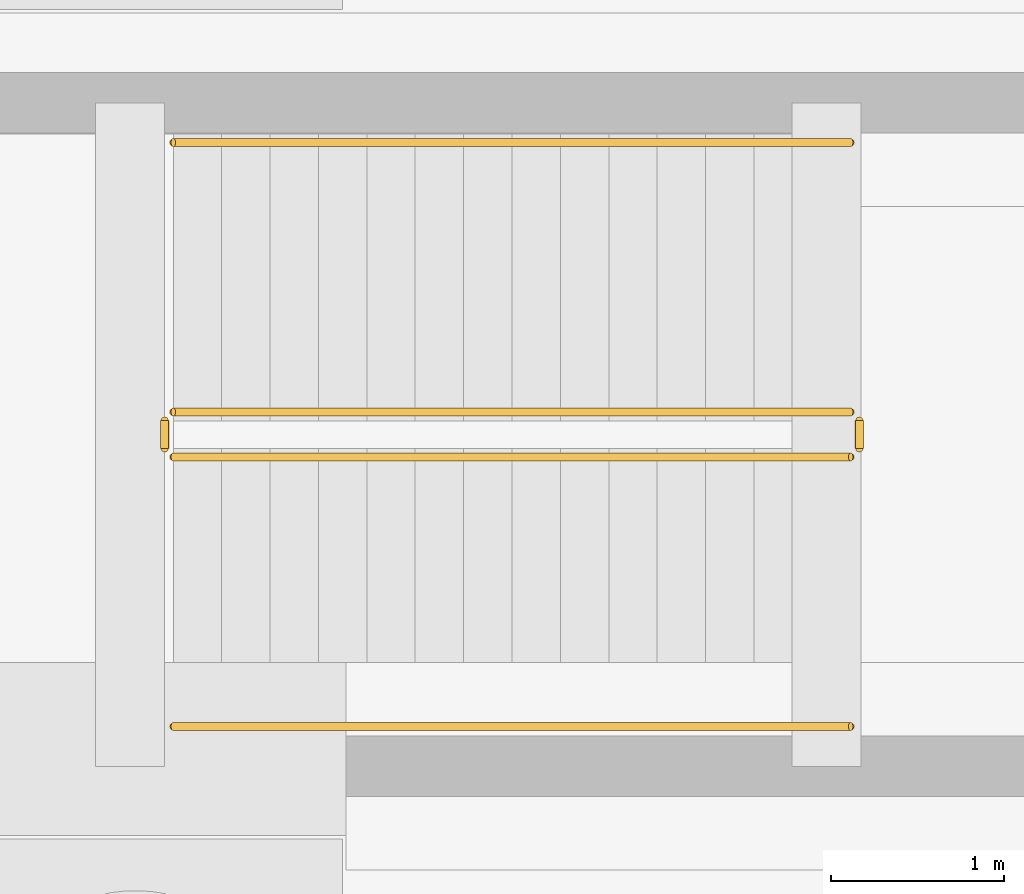
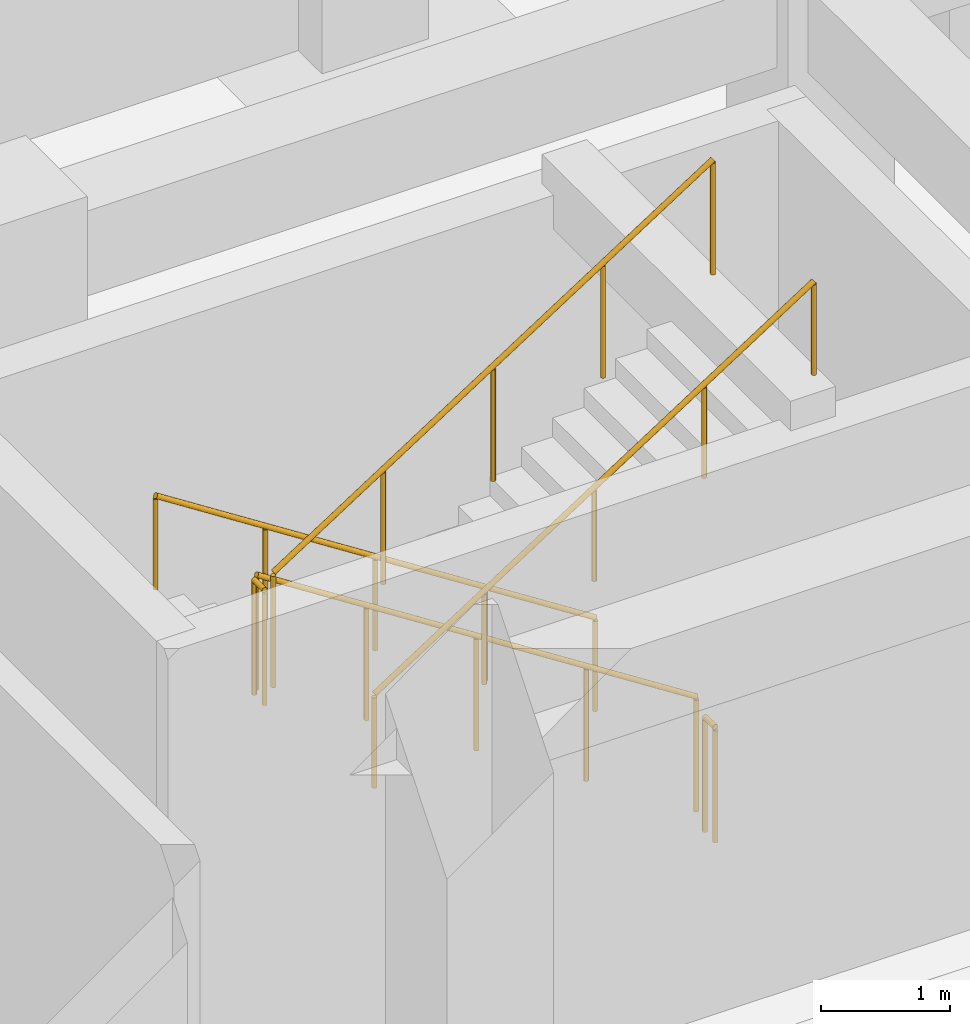
# One storey, part 23 of 26: 6 railings.
"""IFC4 building model written with IfcOpenShell, lengths in metres."""

import ifcopenshell
import ifcopenshell.guid

model = None  # the IFC model being written
_history = None  # IfcOwnerHistory: only IFC2X3 demands one
_inside = {}  # id of a spatial element -> (the spatial element, [elements in it])
_under = {}  # id of a project, library or spatial element -> (it, [spatial elements below it])
_declared = {}  # id of a project -> (the project, [libraries it declares])
_typed = {}  # id of a type object -> (the type object, [elements of that type])
_made_of = {}  # id of a material, layer set ... -> (it, [elements and type objects made of it])


def new_model(schema):
    """Start an empty IFC model of exactly this schema.

    Asked for "IFC4X3", IfcOpenShell would pick the latest addendum, in which some entities
    have other attributes; the version numbers below select the first issue.
    IFC2X3 requires an IfcOwnerHistory on every rooted entity: one is made here for all.
    """
    global model, _history
    if schema == "IFC4X3":
        model = ifcopenshell.file(schema_version=(4, 3, 0, 0))
    else:
        model = ifcopenshell.file(schema=schema)
    _inside.clear()
    _under.clear()
    _declared.clear()
    _typed.clear()
    _made_of.clear()
    _history = None
    if model.schema == "IFC2X3":
        org = make("IfcOrganization", Name="unknown")
        user = make(
            "IfcPersonAndOrganization",
            ThePerson=make("IfcPerson", FamilyName="unknown"),
            TheOrganization=org,
        )
        app = make(
            "IfcApplication",
            ApplicationDeveloper=org,
            Version="unknown",
            ApplicationFullName="unknown",
            ApplicationIdentifier="unknown",
        )
        _history = make(
            "IfcOwnerHistory",
            OwningUser=user,
            OwningApplication=app,
            ChangeAction="ADDED",
            CreationDate=0,
        )
    return model


def make(cls, **values):
    """One entity of the class cls with the attributes given. An attribute that is None is left unset."""
    return model.create_entity(
        cls, **{name: value for name, value in values.items() if value is not None}
    )


def rooted(cls, **values):
    """An entity with a GlobalId (a new one), such as an element, a storey or a relation."""
    return make(cls, GlobalId=ifcopenshell.guid.new(), OwnerHistory=_history, **values)


def si_unit(unit_type, name, prefix=None):
    """IfcSIUnit, for example si_unit("LENGTHUNIT", "METRE", prefix="MILLI")."""
    return make("IfcSIUnit", UnitType=unit_type, Prefix=prefix, Name=name)


def assignment(units):
    """IfcUnitAssignment: the units of a project."""
    return None if units is None else make("IfcUnitAssignment", Units=units)


def point(xyz):
    """IfcCartesianPoint."""
    return None if xyz is None else make("IfcCartesianPoint", Coordinates=xyz)


def direction(xyz):
    """IfcDirection."""
    return None if xyz is None else make("IfcDirection", DirectionRatios=xyz)


def frame(location, z_axis=None, x_axis=None):
    """IfcAxis2Placement3D, a coordinate frame: its origin and axes. An axis left out is left unset."""
    return make(
        "IfcAxis2Placement3D",
        Location=point(location),
        Axis=direction(z_axis),
        RefDirection=direction(x_axis),
    )


def frame_2d(location, x_axis=None):
    """IfcAxis2Placement2D, a coordinate frame in the plane: its origin and x axis."""
    return make(
        "IfcAxis2Placement2D", Location=point(location), RefDirection=direction(x_axis)
    )


def origin():
    """The frame at (0, 0, 0) with its axes left unset."""
    return frame((0.0, 0.0, 0.0))


def origin_2d():
    """The frame at (0, 0) in the plane with its x axis left unset."""
    return frame_2d((0.0, 0.0))


def place(relative_to, where):
    """IfcLocalPlacement: puts the frame where relative to a parent placement (None: the world)."""
    return make(
        "IfcLocalPlacement", PlacementRelTo=relative_to, RelativePlacement=where
    )


def context(
    kind, dimensions, precision=None, world=None, true_north=None, identifier=None
):
    """IfcGeometricRepresentationContext, for example the 3D "Model" context."""
    return make(
        "IfcGeometricRepresentationContext",
        ContextIdentifier=identifier,
        ContextType=kind,
        CoordinateSpaceDimension=dimensions,
        Precision=precision,
        WorldCoordinateSystem=world,
        TrueNorth=true_north,
    )


def subcontext(parent, identifier, kind, view, scale=None):
    """IfcGeometricRepresentationSubContext, for example "Body" below "Model"."""
    return make(
        "IfcGeometricRepresentationSubContext",
        ContextIdentifier=identifier,
        ContextType=kind,
        ParentContext=parent,
        TargetScale=scale,
        TargetView=view,
    )


def project(units=None, contexts=None):
    """IfcProject with its units and contexts."""
    return rooted(
        "IfcProject",
        Name="project",
        RepresentationContexts=contexts,
        UnitsInContext=assignment(units),
    )


def spatial(cls, under=None, at=None, **own):
    """A site, building, storey or space (cls), placed at a placement, below another one or the project."""
    s = rooted(cls, ObjectPlacement=at, **own)
    if under is not None:
        _under.setdefault(under.id(), (under, []))[1].append(s)
    return s


def profile(cls, at=None, kind="AREA", **sizes):
    """A parametric profile (cls). Its sizes go by their IFC names, for example OverallWidth=200.0."""
    return make(cls, ProfileType=kind, Position=at, **sizes)


def circle(**sizes):
    """IfcCircleProfileDef."""
    return profile("IfcCircleProfileDef", **sizes)


def extrude(swept, where, along, depth):
    """IfcExtrudedAreaSolid: the profile swept, set in the frame where, extruded along a direction by depth."""
    return make(
        "IfcExtrudedAreaSolid",
        SweptArea=swept,
        Position=where,
        ExtrudedDirection=direction(along),
        Depth=depth,
    )


def shape(context_of_items, identifier, shape_type, items):
    """IfcShapeRepresentation: the items that make up one representation, for example the "Body"."""
    return make(
        "IfcShapeRepresentation",
        ContextOfItems=context_of_items,
        RepresentationIdentifier=identifier,
        RepresentationType=shape_type,
        Items=items,
    )


def material(Name=None, Category=None):
    """IfcMaterial."""
    return make("IfcMaterial", Name=Name, Category=Category)


def made_of(thing, what):
    """Note that an element or type object is made of a material, layer set ...; save() writes the relation."""
    if what is not None:
        _made_of.setdefault(what.id(), (what, []))[1].append(thing)
    return thing


def type_object(cls, material=None, **own):
    """A type object (cls), such as IfcWallType, which elements share."""
    return made_of(rooted(cls, **own), material)


def element(
    cls,
    number,
    at=None,
    inside=None,
    cuts=None,
    type_object=None,
    material=None,
    context=None,
    identifier="Body",
    shape_type=None,
    held_by="IfcProductDefinitionShape",
    body=None,
    shapes=None,
    **own,
):
    """One element of the class cls, such as IfcWall. Its Tag is "e" and its number.

    at: its placement. inside: the storey or other place that contains it. cuts: it is an
    opening in that element (IfcRelVoidsElement). A single representation is given by context,
    identifier, shape_type and body (its items); several are given by shapes. held_by: the class
    of the entity that holds the representations. save() writes the other relations.
    """
    e = rooted(cls, Tag="e%d" % number, ObjectPlacement=at, **own)
    if body is not None:
        shapes = [shape(context, identifier, shape_type, body)]
    if shapes is not None:
        e.Representation = make(held_by, Representations=shapes)
    if inside is not None:
        _inside.setdefault(inside.id(), (inside, []))[1].append(e)
    if cuts is not None:
        rooted(
            "IfcRelVoidsElement", RelatingBuildingElement=cuts, RelatedOpeningElement=e
        )
    if type_object is not None:
        _typed.setdefault(type_object.id(), (type_object, []))[1].append(e)
    return made_of(e, material)


def aggregate(whole, parts):
    """IfcRelAggregates: a whole, such as a stair, and the parts it consists of."""
    return rooted("IfcRelAggregates", RelatingObject=whole, RelatedObjects=parts)


def save(model, path):
    """Write the relations noted so far, then the file.

    IfcRelAggregates (storeys below a building ...), IfcRelContainedInSpatialStructure (elements
    in a storey), IfcRelDefinesByType, IfcRelAssociatesMaterial and IfcRelDeclares: one each for
    every whole, place, type object, material and project.
    """
    for whole, parts in _under.values():
        aggregate(whole, parts)
    for where, things in _inside.values():
        rooted(
            "IfcRelContainedInSpatialStructure",
            RelatedElements=things,
            RelatingStructure=where,
        )
    for kind, things in _typed.values():
        rooted("IfcRelDefinesByType", RelatedObjects=things, RelatingType=kind)
    for what, things in _made_of.values():
        rooted("IfcRelAssociatesMaterial", RelatedObjects=things, RelatingMaterial=what)
    for by, libraries in _declared.values():
        rooted("IfcRelDeclares", RelatingContext=by, RelatedDefinitions=libraries)
    model.write(path)


model = new_model("IFC4")

# Units and contexts
model_context = context("Model", 3, precision=1e-05, world=origin(), true_north=direction((0.0, 1.0)))
body_context = subcontext(model_context, "Body", "Model", "MODEL_VIEW")
ifc_project = project(units=[si_unit("LENGTHUNIT", "METRE"), si_unit("AREAUNIT", "SQUARE_METRE"), si_unit("VOLUMEUNIT", "CUBIC_METRE"), si_unit("PLANEANGLEUNIT", "RADIAN"), si_unit("MASSUNIT", "GRAM", prefix="KILO")], contexts=[model_context])

# Site, building, storey
site_placement = place(None, origin())
site = spatial("IfcSite", under=ifc_project, at=site_placement, CompositionType="ELEMENT")
building_placement = place(site_placement, origin())
building = spatial("IfcBuilding", under=site, at=building_placement, Name="Kazehaya Institute of Natural Sciences", CompositionType="ELEMENT")
storey_placement = place(building_placement, frame((0.0, 0.0, -5.39990234375)))
storey = spatial("IfcBuildingStorey", under=building, at=storey_placement, Name="B1", CompositionType="ELEMENT", Elevation=-5.39990234375)

# Railings
ifc_material_1 = material(Name="Structural steel SN490B", Category="steel")
railing_type_1 = type_object("IfcRailingType", Name="RL-STAIR-GRD", PredefinedType="GUARDRAIL", material=ifc_material_1)
railing_1_placement = place(storey_placement, frame((109.139892578125, 24.8701171875, 0.179931640625)))
element("IfcRailing", 1, at=railing_1_placement, inside=storey, type_object=railing_type_1, Name="B1 ST-2 stair guard 1", PredefinedType="GUARDRAIL", context=body_context, shape_type="SweptSolid", body=[
    extrude(circle(Radius=0.02392578125, at=origin_2d()), frame((0.0, 0.0, 1.076171875), z_axis=(-0.841171666519, 0.0, 0.540768182723), x_axis=(0.0, -1.0, 0.0)), (0.0, 0.0, 1.0), 4.66015625),
    extrude(circle(Radius=0.02099609375, at=origin_2d()), origin(), (0.0, 0.0, 1.0), 1.052001953125),
    extrude(circle(Radius=0.02099609375, at=origin_2d()), frame((-0.97998046875, 0.0, 0.6298828125)), (0.0, 0.0, 1.0), 1.052001953125),
    extrude(circle(Radius=0.02099609375, at=origin_2d()), frame((-1.9599609375, 0.0, 1.260009765625)), (0.0, 0.0, 1.0), 1.052001953125),
    extrude(circle(Radius=0.02099609375, at=origin_2d()), frame((-2.93994140625, 0.0, 1.89013671875)), (0.0, 0.0, 1.0), 1.052001953125),
    extrude(circle(Radius=0.02099609375, at=origin_2d()), frame((-3.919921875, 0.0, 2.52001953125)), (0.0, 0.0, 1.0), 1.052001953125),
])
railing_2_placement = place(storey_placement, frame((105.169921875, 24.820068359375, 2.699951171875)))
element("IfcRailing", 2, at=railing_2_placement, inside=storey, type_object=railing_type_1, Name="B1 ST-2 stair guard 2", PredefinedType="GUARDRAIL", context=body_context, shape_type="SweptSolid", body=[
    extrude(circle(Radius=0.02392578125, at=origin_2d()), frame((0.0, 0.0, 1.076171875), z_axis=(0.0, -1.0, 0.0), x_axis=(1.0, 0.0, 0.0)), (0.0, 0.0, 1.0), 0.16015625),
    extrude(circle(Radius=0.02099609375, at=origin_2d()), origin(), (0.0, 0.0, 1.0), 1.052001953125),
    extrude(circle(Radius=0.02099609375, at=origin_2d()), frame((0.0, -0.16015625, 0.0)), (0.0, 0.0, 1.0), 1.052001953125),
])
railing_3_placement = place(storey_placement, frame((105.219970703125, 24.610107421875, 2.8798828125)))
element("IfcRailing", 3, at=railing_3_placement, inside=storey, type_object=railing_type_1, Name="B1 ST-2 stair guard 3", PredefinedType="GUARDRAIL", context=body_context, shape_type="SweptSolid", body=[
    extrude(circle(Radius=0.02392578125, at=origin_2d()), frame((0.0, 0.0, 1.076171875), z_axis=(0.841171666519, 0.0, 0.540768182723), x_axis=(0.0, 1.0, 0.0)), (0.0, 0.0, 1.0), 4.66015625),
    extrude(circle(Radius=0.02099609375, at=origin_2d()), origin(), (0.0, 0.0, 1.0), 1.052001953125),
    extrude(circle(Radius=0.02099609375, at=origin_2d()), frame((0.97998046875, 0.0, 0.6298828125)), (0.0, 0.0, 1.0), 1.052001953125),
    extrude(circle(Radius=0.02099609375, at=origin_2d()), frame((1.9599609375, 0.0, 1.260009765625)), (0.0, 0.0, 1.0), 1.052001953125),
    extrude(circle(Radius=0.02099609375, at=origin_2d()), frame((2.93994140625, 0.0, 1.89013671875)), (0.0, 0.0, 1.0), 1.052001953125),
    extrude(circle(Radius=0.02099609375, at=origin_2d()), frame((3.919921875, 0.0, 2.52001953125)), (0.0, 0.0, 1.0), 1.052001953125),
])
railing_4_placement = place(storey_placement, frame((109.18994140625, 24.820068359375, 0.0)))
element("IfcRailing", 4, at=railing_4_placement, inside=storey, type_object=railing_type_1, Name="B1 ST-2 stair guard 4", PredefinedType="GUARDRAIL", context=body_context, shape_type="SweptSolid", body=[
    extrude(circle(Radius=0.02392578125, at=origin_2d()), frame((0.0, 0.0, 1.076171875), z_axis=(0.0, -1.0, 0.0), x_axis=(1.0, 0.0, 0.0)), (0.0, 0.0, 1.0), 0.16015625),
    extrude(circle(Radius=0.02099609375, at=origin_2d()), origin(), (0.0, 0.0, 1.0), 1.052001953125),
    extrude(circle(Radius=0.02099609375, at=origin_2d()), frame((0.0, -0.16015625, 0.0)), (0.0, 0.0, 1.0), 1.052001953125),
])
ifc_material_2 = material(Name="Brushed stainless steel handrail", Category="steel")
railing_type_2 = type_object("IfcRailingType", Name="RL-STAIR-HND", PredefinedType="HANDRAIL", material=ifc_material_2)
railing_5_placement = place(storey_placement, frame((109.139892578125, 26.429931640625, 0.179931640625)))
element("IfcRailing", 5, at=railing_5_placement, inside=storey, type_object=railing_type_2, Name="B1 ST-2 stair handrail 1", PredefinedType="HANDRAIL", context=body_context, shape_type="SweptSolid", body=[
    extrude(circle(Radius=0.02392578125, at=origin_2d()), frame((0.0, 0.0, 0.8759765625), z_axis=(-0.841171666519, 0.0, 0.540768182723), x_axis=(0.0, -1.0, 0.0)), (0.0, 0.0, 1.0), 4.66015625),
    extrude(circle(Radius=0.02099609375, at=origin_2d()), origin(), (0.0, 0.0, 1.0), 0.851806640625),
    extrude(circle(Radius=0.02099609375, at=origin_2d()), frame((-0.97998046875, 0.0, 0.6298828125)), (0.0, 0.0, 1.0), 0.851806640625),
    extrude(circle(Radius=0.02099609375, at=origin_2d()), frame((-1.9599609375, 0.0, 1.260009765625)), (0.0, 0.0, 1.0), 0.851806640625),
    extrude(circle(Radius=0.02099609375, at=origin_2d()), frame((-2.93994140625, 0.0, 1.89013671875)), (0.0, 0.0, 1.0), 0.851806640625),
    extrude(circle(Radius=0.02099609375, at=origin_2d()), frame((-3.919921875, 0.0, 2.52001953125)), (0.0, 0.0, 1.0), 0.851806640625),
])
railing_6_placement = place(storey_placement, frame((105.219970703125, 23.050048828125, 2.8798828125)))
element("IfcRailing", 6, at=railing_6_placement, inside=storey, type_object=railing_type_2, Name="B1 ST-2 stair handrail 2", PredefinedType="HANDRAIL", context=body_context, shape_type="SweptSolid", body=[
    extrude(circle(Radius=0.02392578125, at=origin_2d()), frame((0.0, 0.0, 0.8759765625), z_axis=(0.841171666519, 0.0, 0.540768182723), x_axis=(0.0, 1.0, 0.0)), (0.0, 0.0, 1.0), 4.66015625),
    extrude(circle(Radius=0.02099609375, at=origin_2d()), origin(), (0.0, 0.0, 1.0), 0.851806640625),
    extrude(circle(Radius=0.02099609375, at=origin_2d()), frame((0.97998046875, 0.0, 0.6298828125)), (0.0, 0.0, 1.0), 0.851806640625),
    extrude(circle(Radius=0.02099609375, at=origin_2d()), frame((1.9599609375, 0.0, 1.260009765625)), (0.0, 0.0, 1.0), 0.851806640625),
    extrude(circle(Radius=0.02099609375, at=origin_2d()), frame((2.93994140625, 0.0, 1.89013671875)), (0.0, 0.0, 1.0), 0.851806640625),
    extrude(circle(Radius=0.02099609375, at=origin_2d()), frame((3.919921875, 0.0, 2.52001953125)), (0.0, 0.0, 1.0), 0.851806640625),
])

save(model, "model.ifc")
